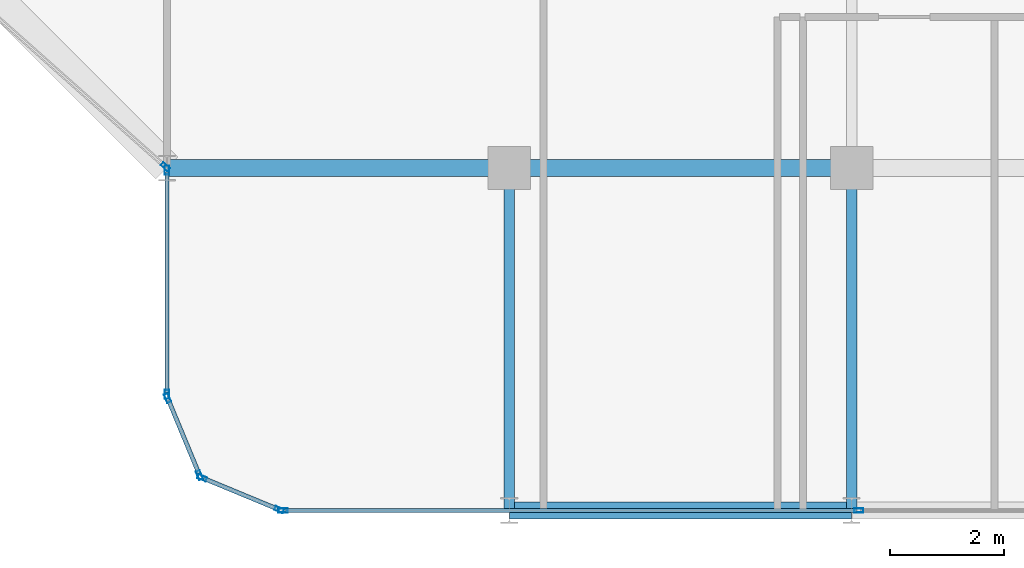
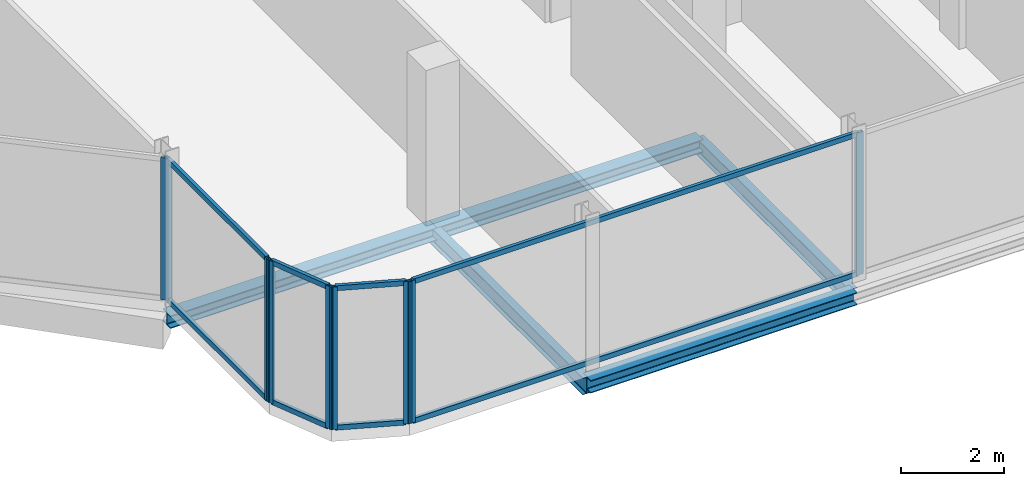
# One storey, part 6 of 29: 17 members, 5 beams, 5 elements without a shape of their own.
"""IFC4 building model written with IfcOpenShell, lengths in metres."""

from ifc_helpers import new_model, si_unit, direction, frame, origin, origin_2d, place, context, subcontext, project, spatial, hollow_rectangle, i_section, extrude, material, layer, layer_set, material_profile, profile_set, type_object, element, aggregate, save


model = new_model("IFC4")

# Units and contexts
model_context = context("Model", 3, precision=1e-05, world=origin(), true_north=direction((0.0, 1.0)))
body_context = subcontext(model_context, "Body", "Model", "MODEL_VIEW")
ifc_project = project(units=[si_unit("LENGTHUNIT", "METRE"), si_unit("AREAUNIT", "SQUARE_METRE"), si_unit("VOLUMEUNIT", "CUBIC_METRE"), si_unit("PLANEANGLEUNIT", "RADIAN"), si_unit("MASSUNIT", "GRAM", prefix="KILO")], contexts=[model_context])

# Site, building, storey
site_placement = place(None, origin())
site = spatial("IfcSite", under=ifc_project, at=site_placement, CompositionType="ELEMENT")
building_placement = place(site_placement, origin())
building = spatial("IfcBuilding", under=site, at=building_placement, Name="Keshet Zoharim Tower", CompositionType="ELEMENT")
storey_placement = place(building_placement, frame((0.0, 0.0, 206.89990234375)))
storey = spatial("IfcBuildingStorey", under=building, at=storey_placement, Name="L51", CompositionType="ELEMENT", Elevation=206.89990234375)

# Beams
ifc_material_1 = material(Name="Steel S355", Category="steel")
ifc_material_profile_1 = material_profile(ifc_material_1, i_section(OverallWidth=0.300048828125, OverallDepth=0.300048828125, WebThickness=0.010986328125, FlangeThickness=0.01904296875, FilletRadius=0.027099609375, at=origin_2d()), Name="HEB300")
ifc_profile_set_1 = profile_set([ifc_material_profile_1], Name="Steel S355")
beam_type_1 = type_object("IfcBeamType", Name="BM-PRI-HB300", PredefinedType="BEAM", material=ifc_profile_set_1)
for number, where, z_axis, x_axis, name in (
    (1, (27.0, 0.699951171875, -0.4599609375), (1.0, 0.0, 0.0), (0.0, 1.0, 0.0), "L51 Primary Girder X-001"),
    (2, (21.0, 6.699951171875, -0.4599609375), (1.0, 0.0, 0.0), (0.0, 1.0, 0.0), "L51 Primary Girder X-005"),
    (3, (27.0, 6.699951171875, -0.4599609375), (1.0, 0.0, 0.0), (0.0, 1.0, 0.0), "L51 Primary Girder X-006"),
):
    element("IfcBeam", number, at=place(storey_placement, frame(where, z_axis=z_axis, x_axis=x_axis)), inside=storey, type_object=beam_type_1, Name=name, PredefinedType="BEAM", context=body_context, shape_type="SweptSolid", body=[
        extrude(i_section(OverallWidth=0.300048828125, OverallDepth=0.300048828125, WebThickness=0.010986328125, FlangeThickness=0.01904296875, FilletRadius=0.027099609375, at=origin_2d()), origin(), (0.0, 0.0, 1.0), 6.0),
    ])
ifc_material_profile_2 = material_profile(ifc_material_1, i_section(OverallWidth=0.179931640625, OverallDepth=0.39990234375, WebThickness=0.008544921875, FlangeThickness=0.013427734375, FilletRadius=0.02099609375, at=origin_2d()), Name="IPE400")
ifc_profile_set_2 = profile_set([ifc_material_profile_2], Name="Steel S355")
beam_type_2 = type_object("IfcBeamType", Name="BM-PRI-IP400", PredefinedType="BEAM", material=ifc_profile_set_2)
for number, where, z_axis, x_axis, name in (
    (4, (27.0, 0.699951171875, -0.510009765625), (0.0, 1.0, 0.0), (-1.0, 0.0, 0.0), "L51 Primary Girder Y-004"),
    (5, (33.0, 0.699951171875, -0.510009765625), (0.0, 1.0, 0.0), (-1.0, 0.0, 0.0), "L51 Primary Girder Y-005"),
):
    element("IfcBeam", number, at=place(storey_placement, frame(where, z_axis=z_axis, x_axis=x_axis)), inside=storey, type_object=beam_type_2, Name=name, PredefinedType="BEAM", context=body_context, shape_type="SweptSolid", body=[
        extrude(i_section(OverallWidth=0.179931640625, OverallDepth=0.39990234375, WebThickness=0.008544921875, FlangeThickness=0.013427734375, FilletRadius=0.02099609375, at=origin_2d()), origin(), (0.0, 0.0, 1.0), 6.0),
    ])

# Curtain wall, members
ifc_material_2 = material(Name="Aluminium 6063-T6", Category="aluminium")
ifc_layer = layer(ifc_material_2, 0.139892578125)
ifc_layer_set = layer_set([ifc_layer], Name="Aluminium 6063-T6")
curtain_wall_type = type_object("IfcCurtainWallType", Name="CW-SYS-05", PredefinedType="NOTDEFINED", material=ifc_layer_set)
curtain_wall_1_placement = place(storey_placement, origin())
curtain_wall_1 = element("IfcCurtainWall", 6, at=curtain_wall_1_placement, inside=storey, type_object=curtain_wall_type, Name="L51 Unitised Curtain Wall 06 Part 3", PredefinedType="NOTDEFINED")
ifc_material_profile_3 = material_profile(ifc_material_2, hollow_rectangle(XDim=0.074951171875, YDim=0.159912109375, WallThickness=0.00390625, at=origin_2d()), Name="MUL-75x160")
ifc_profile_set_3 = profile_set([ifc_material_profile_3], Name="Aluminium 6063-T6")
member_type_1 = type_object("IfcMemberType", Name="CWM-M15", PredefinedType="MULLION", material=ifc_profile_set_3)
member_1_placement = place(storey_placement, frame((33.1259765625, 0.699951171875, 0.0), z_axis=(0.0, 0.0, 1.0), x_axis=(0.0, -1.0, 0.0)))
member_1 = element("IfcMember", 7, at=member_1_placement, type_object=member_type_1, Name="CW-05 mullion 2", PredefinedType="MULLION", context=body_context, shape_type="SweptSolid", body=[
    extrude(hollow_rectangle(XDim=0.074951171875, YDim=0.159912109375, WallThickness=0.00390625, at=origin_2d()), origin(), (0.0, 0.0, 1.0), 3.39013671875),
])
member_2_placement = place(storey_placement, frame((23.034912109375, 0.699951171875, 0.0), z_axis=(0.0, 0.0, 1.0), x_axis=(0.0, -1.0, 0.0)))
member_2 = element("IfcMember", 8, at=member_2_placement, type_object=member_type_1, Name="CW-05 mullion 3", PredefinedType="MULLION", context=body_context, shape_type="SweptSolid", body=[
    extrude(hollow_rectangle(XDim=0.074951171875, YDim=0.159912109375, WallThickness=0.00390625, at=origin_2d()), origin(), (0.0, 0.0, 1.0), 3.39013671875),
])

curtain_wall_2_placement = place(storey_placement, origin())
curtain_wall_2 = element("IfcCurtainWall", 9, at=curtain_wall_2_placement, inside=storey, type_object=curtain_wall_type, Name="L51 Unitised Curtain Wall 07", PredefinedType="NOTDEFINED")
member_3_placement = place(storey_placement, frame((22.9677734375, 0.71337890625, 0.0), z_axis=(0.0, 0.0, 1.0), x_axis=(-0.382851849847, -0.92380975372, 0.0)))
member_3 = element("IfcMember", 10, at=member_3_placement, type_object=member_type_1, Name="CW-05 mullion 1", PredefinedType="MULLION", context=body_context, shape_type="SweptSolid", body=[
    extrude(hollow_rectangle(XDim=0.074951171875, YDim=0.159912109375, WallThickness=0.00390625, at=origin_2d()), origin(), (0.0, 0.0, 1.0), 3.39013671875),
])
member_4_placement = place(storey_placement, frame((21.618408203125, 1.272705078125, 0.0), z_axis=(0.0, 0.0, 1.0), x_axis=(-0.382851849847, -0.92380975372, 0.0)))
member_4 = element("IfcMember", 11, at=member_4_placement, type_object=member_type_1, Name="CW-05 mullion 2", PredefinedType="MULLION", context=body_context, shape_type="SweptSolid", body=[
    extrude(hollow_rectangle(XDim=0.074951171875, YDim=0.159912109375, WallThickness=0.00390625, at=origin_2d()), origin(), (0.0, 0.0, 1.0), 3.39013671875),
])

curtain_wall_3_placement = place(storey_placement, origin())
curtain_wall_3 = element("IfcCurtainWall", 12, at=curtain_wall_3_placement, inside=storey, type_object=curtain_wall_type, Name="L51 Unitised Curtain Wall 08", PredefinedType="NOTDEFINED")
member_5_placement = place(storey_placement, frame((21.572509765625, 1.318359375, 0.0), z_axis=(0.0, 0.0, 1.0), x_axis=(-0.92380975372, -0.382851849847, 0.0)))
member_5 = element("IfcMember", 13, at=member_5_placement, type_object=member_type_1, Name="CW-05 mullion 1", PredefinedType="MULLION", context=body_context, shape_type="SweptSolid", body=[
    extrude(hollow_rectangle(XDim=0.074951171875, YDim=0.159912109375, WallThickness=0.00390625, at=origin_2d()), origin(), (0.0, 0.0, 1.0), 3.39013671875),
])
member_6_placement = place(storey_placement, frame((21.013427734375, 2.667724609375, 0.0), z_axis=(0.0, 0.0, 1.0), x_axis=(-0.92380975372, -0.382851849847, 0.0)))
member_6 = element("IfcMember", 14, at=member_6_placement, type_object=member_type_1, Name="CW-05 mullion 2", PredefinedType="MULLION", context=body_context, shape_type="SweptSolid", body=[
    extrude(hollow_rectangle(XDim=0.074951171875, YDim=0.159912109375, WallThickness=0.00390625, at=origin_2d()), origin(), (0.0, 0.0, 1.0), 3.39013671875),
])

curtain_wall_4_placement = place(storey_placement, origin())
curtain_wall_4 = element("IfcCurtainWall", 15, at=curtain_wall_4_placement, inside=storey, type_object=curtain_wall_type, Name="L51 Unitised Curtain Wall 09", PredefinedType="NOTDEFINED")
member_7_placement = place(storey_placement, frame((21.0, 2.735107421875, 0.0), z_axis=(0.0, 0.0, 1.0), x_axis=(-1.0, 0.0, 0.0)))
member_7 = element("IfcMember", 16, at=member_7_placement, type_object=member_type_1, Name="CW-05 mullion 1", PredefinedType="MULLION", context=body_context, shape_type="SweptSolid", body=[
    extrude(hollow_rectangle(XDim=0.074951171875, YDim=0.159912109375, WallThickness=0.00390625, at=origin_2d()), origin(), (0.0, 0.0, 1.0), 3.39013671875),
])
member_8_placement = place(storey_placement, frame((21.0, 6.6650390625, 0.0), z_axis=(0.0, 0.0, 1.0), x_axis=(-1.0, 0.0, 0.0)))
member_8 = element("IfcMember", 17, at=member_8_placement, type_object=member_type_1, Name="CW-05 mullion 2", PredefinedType="MULLION", context=body_context, shape_type="SweptSolid", body=[
    extrude(hollow_rectangle(XDim=0.074951171875, YDim=0.159912109375, WallThickness=0.00390625, at=origin_2d()), origin(), (0.0, 0.0, 1.0), 3.39013671875),
])

# Curtain wall, member
curtain_wall_5_placement = place(storey_placement, origin())
curtain_wall_5 = element("IfcCurtainWall", 18, at=curtain_wall_5_placement, inside=storey, type_object=curtain_wall_type, Name="L51 Unitised Curtain Wall 10", PredefinedType="NOTDEFINED")
member_9_placement = place(storey_placement, frame((20.973876953125, 6.72314453125, 0.0), z_axis=(0.0, 0.0, 1.0), x_axis=(-0.664367613066, -0.74740596379, 0.0)))
member_9 = element("IfcMember", 19, at=member_9_placement, type_object=member_type_1, Name="CW-05 mullion 1", PredefinedType="MULLION", context=body_context, shape_type="SweptSolid", body=[
    extrude(hollow_rectangle(XDim=0.074951171875, YDim=0.159912109375, WallThickness=0.00390625, at=origin_2d()), origin(), (0.0, 0.0, 1.0), 3.39013671875),
])
aggregate(curtain_wall_5, [member_9])

# Member
ifc_material_profile_4 = material_profile(ifc_material_2, hollow_rectangle(XDim=0.074951171875, YDim=0.1201171875, WallThickness=0.00390625, at=origin_2d()), Name="TRN-75x120")
ifc_profile_set_4 = profile_set([ifc_material_profile_4], Name="Aluminium 6063-T6")
member_type_2 = type_object("IfcMemberType", Name="CWT-T12", PredefinedType="USERDEFINED", material=ifc_profile_set_4)
member_10_placement = place(storey_placement, frame((33.091064453125, 0.699951171875, 0.03515625), z_axis=(-1.0, 0.0, 0.0), x_axis=(0.0, -1.0, 0.0)))
member_10 = element("IfcMember", 20, at=member_10_placement, type_object=member_type_2, Name="CW-05 transom 2.1", ObjectType="TRANSOM", PredefinedType="USERDEFINED", context=body_context, shape_type="SweptSolid", body=[
    extrude(hollow_rectangle(XDim=0.074951171875, YDim=0.1201171875, WallThickness=0.00390625, at=origin_2d()), origin(), (0.0, 0.0, 1.0), 10.02099609375),
])

member_11_placement = place(storey_placement, frame((33.091064453125, 0.699951171875, 3.35498046875), z_axis=(-1.0, 0.0, 0.0), x_axis=(0.0, -1.0, 0.0)))
member_11 = element("IfcMember", 21, at=member_11_placement, type_object=member_type_2, Name="CW-05 transom 2.2", ObjectType="TRANSOM", PredefinedType="USERDEFINED", context=body_context, shape_type="SweptSolid", body=[
    extrude(hollow_rectangle(XDim=0.074951171875, YDim=0.1201171875, WallThickness=0.00390625, at=origin_2d()), origin(), (0.0, 0.0, 1.0), 10.02099609375),
])

aggregate(curtain_wall_1, [member_1, member_2, member_10, member_11])

member_12_placement = place(storey_placement, frame((22.935302734375, 0.726806640625, 0.03515625), z_axis=(-0.92379209995, 0.382894445076, 0.0), x_axis=(-0.382894445076, -0.92379209995, 0.0)))
member_12 = element("IfcMember", 22, at=member_12_placement, type_object=member_type_2, Name="CW-05 transom 1.1", ObjectType="TRANSOM", PredefinedType="USERDEFINED", context=body_context, shape_type="SweptSolid", body=[
    extrude(hollow_rectangle(XDim=0.074951171875, YDim=0.1201171875, WallThickness=0.00390625, at=origin_2d()), origin(), (0.0, 0.0, 1.0), 1.390625),
])

member_13_placement = place(storey_placement, frame((22.935302734375, 0.726806640625, 3.35498046875), z_axis=(-0.92379209995, 0.382894445076, 0.0), x_axis=(-0.382894445076, -0.92379209995, 0.0)))
member_13 = element("IfcMember", 23, at=member_13_placement, type_object=member_type_2, Name="CW-05 transom 1.2", ObjectType="TRANSOM", PredefinedType="USERDEFINED", context=body_context, shape_type="SweptSolid", body=[
    extrude(hollow_rectangle(XDim=0.074951171875, YDim=0.1201171875, WallThickness=0.00390625, at=origin_2d()), origin(), (0.0, 0.0, 1.0), 1.390625),
])

aggregate(curtain_wall_2, [member_3, member_4, member_12, member_13])

member_14_placement = place(storey_placement, frame((21.55908203125, 1.3505859375, 0.03515625), z_axis=(-0.382744609247, 0.923854189844, 0.0), x_axis=(-0.923854189844, -0.382744609247, 0.0)))
member_14 = element("IfcMember", 24, at=member_14_placement, type_object=member_type_2, Name="CW-05 transom 1.1", ObjectType="TRANSOM", PredefinedType="USERDEFINED", context=body_context, shape_type="SweptSolid", body=[
    extrude(hollow_rectangle(XDim=0.074951171875, YDim=0.1201171875, WallThickness=0.00390625, at=origin_2d()), origin(), (0.0, 0.0, 1.0), 1.390625),
])

member_15_placement = place(storey_placement, frame((21.55908203125, 1.3505859375, 3.35498046875), z_axis=(-0.382744609247, 0.923854189844, 0.0), x_axis=(-0.923854189844, -0.382744609247, 0.0)))
member_15 = element("IfcMember", 25, at=member_15_placement, type_object=member_type_2, Name="CW-05 transom 1.2", ObjectType="TRANSOM", PredefinedType="USERDEFINED", context=body_context, shape_type="SweptSolid", body=[
    extrude(hollow_rectangle(XDim=0.074951171875, YDim=0.1201171875, WallThickness=0.00390625, at=origin_2d()), origin(), (0.0, 0.0, 1.0), 1.390625),
])

aggregate(curtain_wall_3, [member_5, member_6, member_14, member_15])

member_16_placement = place(storey_placement, frame((21.0, 2.77001953125, 0.03515625), z_axis=(0.0, 1.0, 0.0), x_axis=(-1.0, 0.0, 0.0)))
member_16 = element("IfcMember", 26, at=member_16_placement, type_object=member_type_2, Name="CW-05 transom 1.1", ObjectType="TRANSOM", PredefinedType="USERDEFINED", context=body_context, shape_type="SweptSolid", body=[
    extrude(hollow_rectangle(XDim=0.074951171875, YDim=0.1201171875, WallThickness=0.00390625, at=origin_2d()), origin(), (0.0, 0.0, 1.0), 3.85986328125),
])

member_17_placement = place(storey_placement, frame((21.0, 2.77001953125, 3.35498046875), z_axis=(0.0, 1.0, 0.0), x_axis=(-1.0, 0.0, 0.0)))
member_17 = element("IfcMember", 27, at=member_17_placement, type_object=member_type_2, Name="CW-05 transom 1.2", ObjectType="TRANSOM", PredefinedType="USERDEFINED", context=body_context, shape_type="SweptSolid", body=[
    extrude(hollow_rectangle(XDim=0.074951171875, YDim=0.1201171875, WallThickness=0.00390625, at=origin_2d()), origin(), (0.0, 0.0, 1.0), 3.85986328125),
])

aggregate(curtain_wall_4, [member_7, member_8, member_16, member_17])

save(model, "model.ifc")
